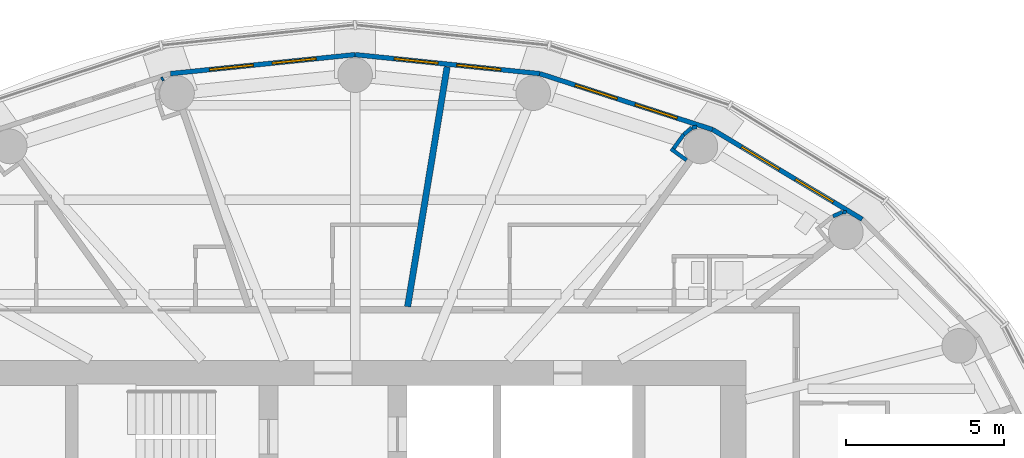
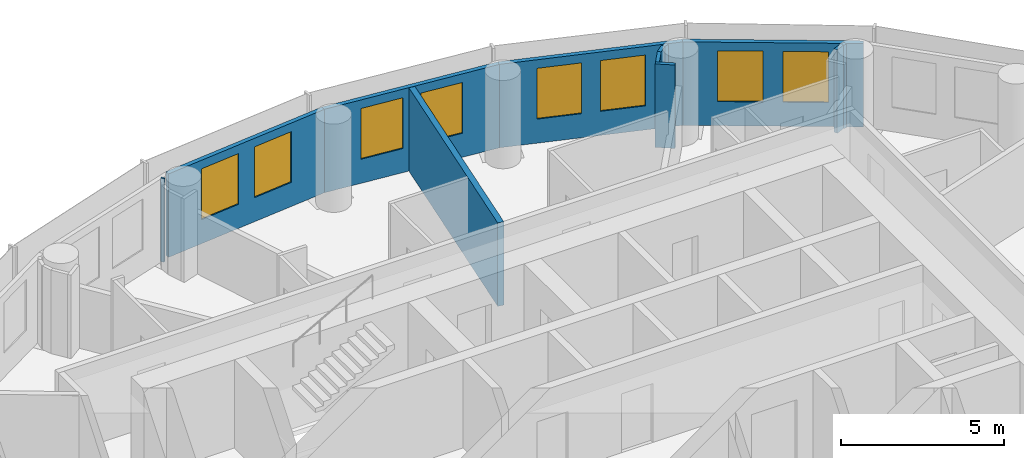
# One storey, part 13 of 16: 12 walls, 8 windows, 8 openings.
"""IFC4 building model written with IfcOpenShell, lengths in metres."""

from ifc_helpers import new_model, si_unit, direction, frame, frame_2d, origin, place, context, subcontext, project, spatial, rectangle, extrude, material, layer, layer_set, type_object, element, fill, save


model = new_model("IFC4")

# Units and contexts
model_context = context("Model", 3, precision=1e-05, world=origin(), true_north=direction((0.0, 1.0)))
body_context = subcontext(model_context, "Body", "Model", "MODEL_VIEW")
ifc_project = project(units=[si_unit("LENGTHUNIT", "METRE"), si_unit("AREAUNIT", "SQUARE_METRE"), si_unit("VOLUMEUNIT", "CUBIC_METRE"), si_unit("PLANEANGLEUNIT", "RADIAN"), si_unit("MASSUNIT", "GRAM", prefix="KILO")], contexts=[model_context])

# Site, building, storey
site_placement = place(None, origin())
site = spatial("IfcSite", under=ifc_project, at=site_placement, CompositionType="ELEMENT")
building_placement = place(site_placement, origin())
building = spatial("IfcBuilding", under=site, at=building_placement, Name="Hankou Lantern Tower", CompositionType="ELEMENT")
storey_placement = place(building_placement, frame((0.0, 0.0, 143.39990234375)))
storey = spatial("IfcBuildingStorey", under=building, at=storey_placement, Name="L37", CompositionType="ELEMENT", Elevation=143.39990234375)

# Wall, openings, windows
ifc_material_1 = material(Name="Aluminium spandrel panel on steel studs", Category="steel")
ifc_layer_1 = layer(ifc_material_1, 0.14990234375)
ifc_layer_set_1 = layer_set([ifc_layer_1], Name="Aluminium spandrel panel on steel studs")
wall_type_1 = type_object("IfcWallType", Name="EW1 INNER SKIN WALL 150", PredefinedType="ELEMENTEDWALL", material=ifc_layer_set_1)
wall_1_placement = place(storey_placement, frame((16.0947265625, 12.875732421875, 0.0), z_axis=(0.0, 0.0, 1.0), x_axis=(-0.857695199231, 0.514158482587, 0.0)))
wall_1 = element("IfcWall", 1, at=wall_1_placement, inside=storey, type_object=wall_type_1, Name="Inner skin R04-R05 L37", PredefinedType="ELEMENTEDWALL", context=body_context, shape_type="SweptSolid", body=[
    extrude(rectangle(XDim=5.5361328125, YDim=0.14990234375, at=frame_2d((2.76806640625, 0.0))), origin(), (0.0, 0.0, 1.0), 3.1201171875),
])
opening_1_placement = place(wall_1_placement, frame((1.068115234375, 0.0, 0.89990234375)))
opening_1 = element("IfcOpeningElement", 2, at=opening_1_placement, cuts=wall_1, Name="Opening W3", PredefinedType="OPENING", context=body_context, shape_type="SweptSolid", body=[
    extrude(rectangle(XDim=1.39990234375, YDim=1.89990234375, at=frame_2d((0.699951171875, 0.949951171875))), frame((0.0, 0.0849609375, 0.0), z_axis=(0.0, -1.0, 0.0), x_axis=(1.0, 0.0, 0.0)), (0.0, 0.0, 1.0), 0.169921875),
])
opening_2_placement = place(wall_1_placement, frame((3.068115234375, 0.0, 0.89990234375)))
opening_2 = element("IfcOpeningElement", 3, at=opening_2_placement, cuts=wall_1, Name="Opening W3", PredefinedType="OPENING", context=body_context, shape_type="SweptSolid", body=[
    extrude(rectangle(XDim=1.39990234375, YDim=1.89990234375, at=frame_2d((0.699951171875, 0.949951171875))), frame((0.0, 0.0849609375, 0.0), z_axis=(0.0, -1.0, 0.0), x_axis=(1.0, 0.0, 0.0)), (0.0, 0.0, 1.0), 0.169921875),
])
ifc_material_2 = material(Name="Aluminium framed double glazed window", Category="aluminium")
window_type = type_object("IfcWindowType", Name="W3 GUEST ROOM WINDOW 1400X1900", PartitioningType="DOUBLE_PANEL_VERTICAL", PredefinedType="WINDOW", material=ifc_material_2)
window_1_placement = place(opening_1_placement, origin())
window_1 = element("IfcWindow", 4, at=window_1_placement, inside=storey, type_object=window_type, Name="Window R04.1 L37", OverallHeight=1.89990234375, OverallWidth=1.39990234375, PartitioningType="SINGLE_PANEL", PredefinedType="WINDOW", context=body_context, shape_type="SweptSolid", body=[
    extrude(rectangle(XDim=1.39990234375, YDim=1.89990234375, at=frame_2d((0.699951171875, 0.949951171875))), frame((0.0, 0.030029296875, 0.0), z_axis=(0.0, -1.0, 0.0), x_axis=(1.0, 0.0, 0.0)), (0.0, 0.0, 1.0), 0.06005859375),
])
fill(opening_1, window_1)
window_2_placement = place(opening_2_placement, origin())
window_2 = element("IfcWindow", 5, at=window_2_placement, inside=storey, type_object=window_type, Name="Window R04.2 L37", OverallHeight=1.89990234375, OverallWidth=1.39990234375, PartitioningType="SINGLE_PANEL", PredefinedType="WINDOW", context=body_context, shape_type="SweptSolid", body=[
    extrude(rectangle(XDim=1.39990234375, YDim=1.89990234375, at=frame_2d((0.699951171875, 0.949951171875))), frame((0.0, 0.030029296875, 0.0), z_axis=(0.0, -1.0, 0.0), x_axis=(1.0, 0.0, 0.0)), (0.0, 0.0, 1.0), 0.06005859375),
])
fill(opening_2, window_2)

wall_2_placement = place(storey_placement, frame((11.346435546875, 15.72216796875, 0.0), z_axis=(0.0, 0.0, 1.0), x_axis=(-0.951432482129, 0.307857486429, 0.0)))
wall_2 = element("IfcWall", 6, at=wall_2_placement, inside=storey, type_object=wall_type_1, Name="Inner skin R05-R06 L37", PredefinedType="ELEMENTEDWALL", context=body_context, shape_type="SweptSolid", body=[
    extrude(rectangle(XDim=5.76611328125, YDim=0.14990234375, at=frame_2d((2.883056640625, 0.0))), origin(), (0.0, 0.0, 1.0), 3.1201171875),
])
opening_3_placement = place(wall_2_placement, frame((1.18310546875, 0.0, 0.89990234375)))
opening_3 = element("IfcOpeningElement", 7, at=opening_3_placement, cuts=wall_2, Name="Opening W3", PredefinedType="OPENING", context=body_context, shape_type="SweptSolid", body=[
    extrude(rectangle(XDim=1.39990234375, YDim=1.89990234375, at=frame_2d((0.699951171875, 0.949951171875))), frame((0.0, 0.0849609375, 0.0), z_axis=(0.0, -1.0, 0.0), x_axis=(1.0, 0.0, 0.0)), (0.0, 0.0, 1.0), 0.169921875),
])
opening_4_placement = place(wall_2_placement, frame((3.18310546875, 0.0, 0.89990234375)))
opening_4 = element("IfcOpeningElement", 8, at=opening_4_placement, cuts=wall_2, Name="Opening W3", PredefinedType="OPENING", context=body_context, shape_type="SweptSolid", body=[
    extrude(rectangle(XDim=1.39990234375, YDim=1.89990234375, at=frame_2d((0.699951171875, 0.949951171875))), frame((0.0, 0.0849609375, 0.0), z_axis=(0.0, -1.0, 0.0), x_axis=(1.0, 0.0, 0.0)), (0.0, 0.0, 1.0), 0.169921875),
])
window_3_placement = place(opening_3_placement, origin())
window_3 = element("IfcWindow", 9, at=window_3_placement, inside=storey, type_object=window_type, Name="Window R05.1 L37", OverallHeight=1.89990234375, OverallWidth=1.39990234375, PartitioningType="SINGLE_PANEL", PredefinedType="WINDOW", context=body_context, shape_type="SweptSolid", body=[
    extrude(rectangle(XDim=1.39990234375, YDim=1.89990234375, at=frame_2d((0.699951171875, 0.949951171875))), frame((0.0, 0.030029296875, 0.0), z_axis=(0.0, -1.0, 0.0), x_axis=(1.0, 0.0, 0.0)), (0.0, 0.0, 1.0), 0.06005859375),
])
fill(opening_3, window_3)
window_4_placement = place(opening_4_placement, origin())
window_4 = element("IfcWindow", 10, at=window_4_placement, inside=storey, type_object=window_type, Name="Window R05.2 L37", OverallHeight=1.89990234375, OverallWidth=1.39990234375, PartitioningType="SINGLE_PANEL", PredefinedType="WINDOW", context=body_context, shape_type="SweptSolid", body=[
    extrude(rectangle(XDim=1.39990234375, YDim=1.89990234375, at=frame_2d((0.699951171875, 0.949951171875))), frame((0.0, 0.030029296875, 0.0), z_axis=(0.0, -1.0, 0.0), x_axis=(1.0, 0.0, 0.0)), (0.0, 0.0, 1.0), 0.06005859375),
])
fill(opening_4, window_4)

wall_3_placement = place(storey_placement, frame((5.8603515625, 17.497314453125, 0.0), z_axis=(0.0, 0.0, 1.0), x_axis=(-0.994751738032, 0.102318032045, 0.0)))
wall_3 = element("IfcWall", 11, at=wall_3_placement, inside=storey, type_object=wall_type_1, Name="Inner skin R06-R07 L37", PredefinedType="ELEMENTEDWALL", context=body_context, shape_type="SweptSolid", body=[
    extrude(rectangle(XDim=5.891357421875, YDim=0.14990234375, at=frame_2d((2.94580078125, 0.0))), origin(), (0.0, 0.0, 1.0), 3.1201171875),
])
opening_5_placement = place(wall_3_placement, frame((1.24560546875, 0.0, 0.89990234375)))
opening_5 = element("IfcOpeningElement", 12, at=opening_5_placement, cuts=wall_3, Name="Opening W3", PredefinedType="OPENING", context=body_context, shape_type="SweptSolid", body=[
    extrude(rectangle(XDim=1.39990234375, YDim=1.89990234375, at=frame_2d((0.699951171875, 0.949951171875))), frame((0.0, 0.0849609375, 0.0), z_axis=(0.0, -1.0, 0.0), x_axis=(1.0, 0.0, 0.0)), (0.0, 0.0, 1.0), 0.169921875),
])
opening_6_placement = place(wall_3_placement, frame((3.24560546875, 0.0, 0.89990234375)))
opening_6 = element("IfcOpeningElement", 13, at=opening_6_placement, cuts=wall_3, Name="Opening W3", PredefinedType="OPENING", context=body_context, shape_type="SweptSolid", body=[
    extrude(rectangle(XDim=1.39990234375, YDim=1.89990234375, at=frame_2d((0.699951171875, 0.949951171875))), frame((0.0, 0.0849609375, 0.0), z_axis=(0.0, -1.0, 0.0), x_axis=(1.0, 0.0, 0.0)), (0.0, 0.0, 1.0), 0.169921875),
])
window_5_placement = place(opening_5_placement, origin())
window_5 = element("IfcWindow", 14, at=window_5_placement, inside=storey, type_object=window_type, Name="Window R06.1 L37", OverallHeight=1.89990234375, OverallWidth=1.39990234375, PartitioningType="SINGLE_PANEL", PredefinedType="WINDOW", context=body_context, shape_type="SweptSolid", body=[
    extrude(rectangle(XDim=1.39990234375, YDim=1.89990234375, at=frame_2d((0.699951171875, 0.949951171875))), frame((0.0, 0.030029296875, 0.0), z_axis=(0.0, -1.0, 0.0), x_axis=(1.0, 0.0, 0.0)), (0.0, 0.0, 1.0), 0.06005859375),
])
fill(opening_5, window_5)
window_6_placement = place(opening_6_placement, origin())
window_6 = element("IfcWindow", 15, at=window_6_placement, inside=storey, type_object=window_type, Name="Window R06.2 L37", OverallHeight=1.89990234375, OverallWidth=1.39990234375, PartitioningType="SINGLE_PANEL", PredefinedType="WINDOW", context=body_context, shape_type="SweptSolid", body=[
    extrude(rectangle(XDim=1.39990234375, YDim=1.89990234375, at=frame_2d((0.699951171875, 0.949951171875))), frame((0.0, 0.030029296875, 0.0), z_axis=(0.0, -1.0, 0.0), x_axis=(1.0, 0.0, 0.0)), (0.0, 0.0, 1.0), 0.06005859375),
])
fill(opening_6, window_6)

wall_4_placement = place(storey_placement, frame((0.0, 18.10009765625, 0.0), z_axis=(0.0, 0.0, 1.0), x_axis=(-0.994751738032, -0.102318032045, 0.0)))
wall_4 = element("IfcWall", 16, at=wall_4_placement, inside=storey, type_object=wall_type_1, Name="Inner skin R07-R08 L37", PredefinedType="ELEMENTEDWALL", context=body_context, shape_type="SweptSolid", body=[
    extrude(rectangle(XDim=5.891357421875, YDim=0.14990234375, at=frame_2d((2.94580078125, 0.0))), origin(), (0.0, 0.0, 1.0), 3.1201171875),
])
opening_7_placement = place(wall_4_placement, frame((1.24560546875, 0.0, 0.89990234375)))
opening_7 = element("IfcOpeningElement", 17, at=opening_7_placement, cuts=wall_4, Name="Opening W3", PredefinedType="OPENING", context=body_context, shape_type="SweptSolid", body=[
    extrude(rectangle(XDim=1.39990234375, YDim=1.89990234375, at=frame_2d((0.699951171875, 0.949951171875))), frame((0.0, 0.0849609375, 0.0), z_axis=(0.0, -1.0, 0.0), x_axis=(1.0, 0.0, 0.0)), (0.0, 0.0, 1.0), 0.169921875),
])
opening_8_placement = place(wall_4_placement, frame((3.24560546875, 0.0, 0.89990234375)))
opening_8 = element("IfcOpeningElement", 18, at=opening_8_placement, cuts=wall_4, Name="Opening W3", PredefinedType="OPENING", context=body_context, shape_type="SweptSolid", body=[
    extrude(rectangle(XDim=1.39990234375, YDim=1.89990234375, at=frame_2d((0.699951171875, 0.949951171875))), frame((0.0, 0.0849609375, 0.0), z_axis=(0.0, -1.0, 0.0), x_axis=(1.0, 0.0, 0.0)), (0.0, 0.0, 1.0), 0.169921875),
])
window_7_placement = place(opening_7_placement, origin())
window_7 = element("IfcWindow", 19, at=window_7_placement, inside=storey, type_object=window_type, Name="Window R07.1 L37", OverallHeight=1.89990234375, OverallWidth=1.39990234375, PartitioningType="SINGLE_PANEL", PredefinedType="WINDOW", context=body_context, shape_type="SweptSolid", body=[
    extrude(rectangle(XDim=1.39990234375, YDim=1.89990234375, at=frame_2d((0.699951171875, 0.949951171875))), frame((0.0, 0.030029296875, 0.0), z_axis=(0.0, -1.0, 0.0), x_axis=(1.0, 0.0, 0.0)), (0.0, 0.0, 1.0), 0.06005859375),
])
fill(opening_7, window_7)
window_8_placement = place(opening_8_placement, origin())
window_8 = element("IfcWindow", 20, at=window_8_placement, inside=storey, type_object=window_type, Name="Window R07.2 L37", OverallHeight=1.89990234375, OverallWidth=1.39990234375, PartitioningType="SINGLE_PANEL", PredefinedType="WINDOW", context=body_context, shape_type="SweptSolid", body=[
    extrude(rectangle(XDim=1.39990234375, YDim=1.89990234375, at=frame_2d((0.699951171875, 0.949951171875))), frame((0.0, 0.030029296875, 0.0), z_axis=(0.0, -1.0, 0.0), x_axis=(1.0, 0.0, 0.0)), (0.0, 0.0, 1.0), 0.06005859375),
])
fill(opening_8, window_8)

# Walls
ifc_material_3 = material(Name="Masonry lightweight concrete block", Category="masonry")
ifc_layer_2 = layer(ifc_material_3, 0.199951171875)
ifc_layer_set_2 = layer_set([ifc_layer_2], Name="Masonry lightweight concrete block")
wall_type_2 = type_object("IfcWallType", Name="IW1 GUEST ROOM PARTY WALL 200", PredefinedType="PARTITIONING", material=ifc_layer_set_2)
wall_5_placement = place(storey_placement, frame((1.66552734375, 10.10009765625, 0.0), z_axis=(0.0, 0.0, 1.0), x_axis=(0.162669562982, 0.986680603478, 0.0)))
element("IfcWall", 21, at=wall_5_placement, inside=storey, type_object=wall_type_2, Name="Party wall R06-R07", PredefinedType="PARTITIONING", context=body_context, shape_type="SweptSolid", body=[
    extrude(rectangle(XDim=7.7158203125, YDim=0.199951171875, at=frame_2d((3.85791015625, 0.0))), origin(), (0.0, 0.0, 1.0), 3.1201171875),
])
ifc_material_4 = material(Name="Masonry lightweight concrete block", Category="masonry")
ifc_layer_3 = layer(ifc_material_4, 0.1201171875)
ifc_layer_set_3 = layer_set([ifc_layer_3], Name="Masonry lightweight concrete block")
wall_type_3 = type_object("IfcWallType", Name="IW4 PARTITION 120", PredefinedType="PARTITIONING", material=ifc_layer_set_3)
wall_6_placement = place(storey_placement, frame((15.168701171875, 12.97021484375, 0.0), z_axis=(0.0, 0.0, 1.0), x_axis=(0.915974725257, 0.401235968838, 0.0)))
element("IfcWall", 22, at=wall_6_placement, inside=storey, type_object=wall_type_3, Name="Column casing R04", PredefinedType="PARTITIONING", context=body_context, shape_type="SweptSolid", body=[
    extrude(rectangle(XDim=0.337646484375, YDim=0.1201171875, at=frame_2d((0.1689453125, 0.0))), origin(), (0.0, 0.0, 1.0), 3.1201171875),
])
wall_7_placement = place(storey_placement, frame((15.47802734375, 13.105712890625, 0.0), z_axis=(0.0, 0.0, 1.0), x_axis=(0.993778813557, -0.111371763588, 0.0)))
element("IfcWall", 23, at=wall_7_placement, inside=storey, type_object=wall_type_3, Name="Column casing R04", PredefinedType="PARTITIONING", context=body_context, shape_type="SweptSolid", body=[
    extrude(rectangle(XDim=0.114013671875, YDim=0.1201171875, at=frame_2d((0.05712890625, 0.0))), origin(), (0.0, 0.0, 1.0), 3.1201171875),
])
wall_8_placement = place(storey_placement, frame((10.521728515625, 14.750244140625, 0.0), z_axis=(0.0, 0.0, 1.0), x_axis=(-0.811057588427, 0.584966313777, 0.0)))
element("IfcWall", 24, at=wall_8_placement, inside=storey, type_object=wall_type_3, Name="Column casing R05 return", PredefinedType="PARTITIONING", context=body_context, shape_type="SweptSolid", body=[
    extrude(rectangle(XDim=0.6123046875, YDim=0.1201171875, at=frame_2d((0.30615234375, 0.0))), origin(), (0.0, 0.0, 1.0), 3.1201171875),
])
wall_9_placement = place(storey_placement, frame((10.10888671875, 15.121826171875, 0.0), z_axis=(0.0, 0.0, 1.0), x_axis=(0.585344718358, 0.810784534072, 0.0)))
element("IfcWall", 25, at=wall_9_placement, inside=storey, type_object=wall_type_3, Name="Column casing R05", PredefinedType="PARTITIONING", context=body_context, shape_type="SweptSolid", body=[
    extrude(rectangle(XDim=0.550048828125, YDim=0.1201171875, at=frame_2d((0.27490234375, 0.0))), origin(), (0.0, 0.0, 1.0), 3.1201171875),
])
wall_10_placement = place(storey_placement, frame((10.430908203125, 15.56787109375, 0.0), z_axis=(0.0, 0.0, 1.0), x_axis=(0.77505137267, 0.631898227345, 0.0)))
element("IfcWall", 26, at=wall_10_placement, inside=storey, type_object=wall_type_3, Name="Column casing R05", PredefinedType="PARTITIONING", context=body_context, shape_type="SweptSolid", body=[
    extrude(rectangle(XDim=0.337646484375, YDim=0.1201171875, at=frame_2d((0.1689453125, 0.0))), origin(), (0.0, 0.0, 1.0), 3.1201171875),
])
wall_11_placement = place(storey_placement, frame((10.692626953125, 15.78125, 0.0), z_axis=(0.0, 0.0, 1.0), x_axis=(0.987256785332, 0.159135287777, 0.0)))
element("IfcWall", 27, at=wall_11_placement, inside=storey, type_object=wall_type_3, Name="Column casing R05", PredefinedType="PARTITIONING", context=body_context, shape_type="SweptSolid", body=[
    extrude(rectangle(XDim=0.157958984375, YDim=0.1201171875, at=frame_2d((0.0791015625, 0.0))), origin(), (0.0, 0.0, 1.0), 3.1201171875),
])
wall_12_placement = place(storey_placement, frame((-6.1416015625, 17.3095703125, 0.0), z_axis=(0.0, 0.0, 1.0), x_axis=(0.835039693181, 0.550189704386, 0.0)))
element("IfcWall", 28, at=wall_12_placement, inside=storey, type_object=wall_type_3, Name="Column casing R08", PredefinedType="PARTITIONING", context=body_context, shape_type="SweptSolid", body=[
    extrude(rectangle(XDim=0.0625, YDim=0.1201171875, at=frame_2d((0.03125, 0.0))), origin(), (0.0, 0.0, 1.0), 3.1201171875),
])

save(model, "model.ifc")
